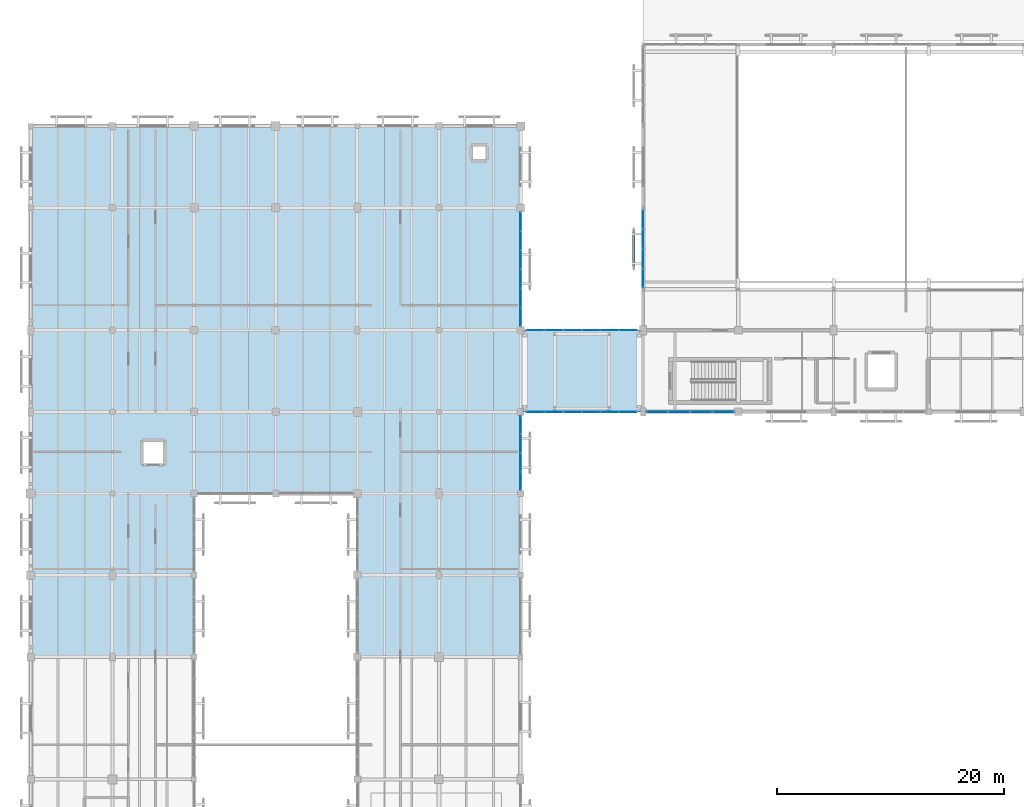
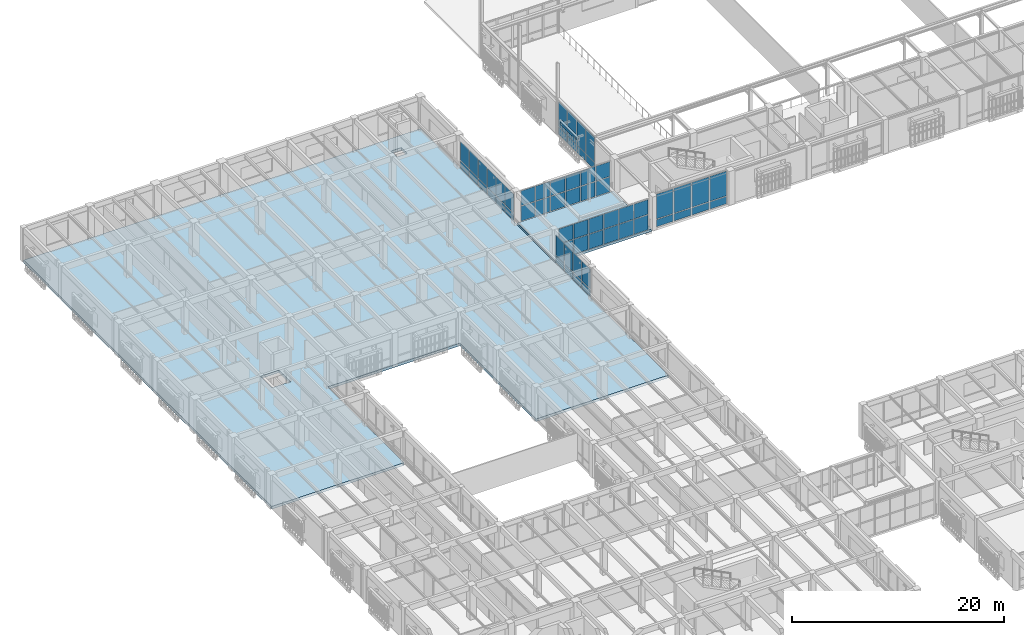
# One storey, part 121 of 170: 61 plates, 2 slabs, 6 elements without a shape of their own.
"""IFC4 building model written with IfcOpenShell, lengths in metres."""

import ifcopenshell
import ifcopenshell.guid

model = None  # the IFC model being written
_history = None  # IfcOwnerHistory: only IFC2X3 demands one
_inside = {}  # id of a spatial element -> (the spatial element, [elements in it])
_under = {}  # id of a project, library or spatial element -> (it, [spatial elements below it])
_declared = {}  # id of a project -> (the project, [libraries it declares])
_typed = {}  # id of a type object -> (the type object, [elements of that type])
_made_of = {}  # id of a material, layer set ... -> (it, [elements and type objects made of it])


def new_model(schema):
    """Start an empty IFC model of exactly this schema.

    Asked for "IFC4X3", IfcOpenShell would pick the latest addendum, in which some entities
    have other attributes; the version numbers below select the first issue.
    IFC2X3 requires an IfcOwnerHistory on every rooted entity: one is made here for all.
    """
    global model, _history
    if schema == "IFC4X3":
        model = ifcopenshell.file(schema_version=(4, 3, 0, 0))
    else:
        model = ifcopenshell.file(schema=schema)
    _inside.clear()
    _under.clear()
    _declared.clear()
    _typed.clear()
    _made_of.clear()
    _history = None
    if model.schema == "IFC2X3":
        org = make("IfcOrganization", Name="unknown")
        user = make(
            "IfcPersonAndOrganization",
            ThePerson=make("IfcPerson", FamilyName="unknown"),
            TheOrganization=org,
        )
        app = make(
            "IfcApplication",
            ApplicationDeveloper=org,
            Version="unknown",
            ApplicationFullName="unknown",
            ApplicationIdentifier="unknown",
        )
        _history = make(
            "IfcOwnerHistory",
            OwningUser=user,
            OwningApplication=app,
            ChangeAction="ADDED",
            CreationDate=0,
        )
    return model


def make(cls, **values):
    """One entity of the class cls with the attributes given. An attribute that is None is left unset."""
    return model.create_entity(
        cls, **{name: value for name, value in values.items() if value is not None}
    )


def rooted(cls, **values):
    """An entity with a GlobalId (a new one), such as an element, a storey or a relation."""
    return make(cls, GlobalId=ifcopenshell.guid.new(), OwnerHistory=_history, **values)


def si_unit(unit_type, name, prefix=None):
    """IfcSIUnit, for example si_unit("LENGTHUNIT", "METRE", prefix="MILLI")."""
    return make("IfcSIUnit", UnitType=unit_type, Prefix=prefix, Name=name)


def assignment(units):
    """IfcUnitAssignment: the units of a project."""
    return None if units is None else make("IfcUnitAssignment", Units=units)


def point(xyz):
    """IfcCartesianPoint."""
    return None if xyz is None else make("IfcCartesianPoint", Coordinates=xyz)


def direction(xyz):
    """IfcDirection."""
    return None if xyz is None else make("IfcDirection", DirectionRatios=xyz)


def frame(location, z_axis=None, x_axis=None):
    """IfcAxis2Placement3D, a coordinate frame: its origin and axes. An axis left out is left unset."""
    return make(
        "IfcAxis2Placement3D",
        Location=point(location),
        Axis=direction(z_axis),
        RefDirection=direction(x_axis),
    )


def frame_2d(location, x_axis=None):
    """IfcAxis2Placement2D, a coordinate frame in the plane: its origin and x axis."""
    return make(
        "IfcAxis2Placement2D", Location=point(location), RefDirection=direction(x_axis)
    )


def origin():
    """The frame at (0, 0, 0) with its axes left unset."""
    return frame((0.0, 0.0, 0.0))


def origin_2d():
    """The frame at (0, 0) in the plane with its x axis left unset."""
    return frame_2d((0.0, 0.0))


def place(relative_to, where):
    """IfcLocalPlacement: puts the frame where relative to a parent placement (None: the world)."""
    return make(
        "IfcLocalPlacement", PlacementRelTo=relative_to, RelativePlacement=where
    )


def context(
    kind, dimensions, precision=None, world=None, true_north=None, identifier=None
):
    """IfcGeometricRepresentationContext, for example the 3D "Model" context."""
    return make(
        "IfcGeometricRepresentationContext",
        ContextIdentifier=identifier,
        ContextType=kind,
        CoordinateSpaceDimension=dimensions,
        Precision=precision,
        WorldCoordinateSystem=world,
        TrueNorth=true_north,
    )


def subcontext(parent, identifier, kind, view, scale=None):
    """IfcGeometricRepresentationSubContext, for example "Body" below "Model"."""
    return make(
        "IfcGeometricRepresentationSubContext",
        ContextIdentifier=identifier,
        ContextType=kind,
        ParentContext=parent,
        TargetScale=scale,
        TargetView=view,
    )


def project(units=None, contexts=None):
    """IfcProject with its units and contexts."""
    return rooted(
        "IfcProject",
        Name="project",
        RepresentationContexts=contexts,
        UnitsInContext=assignment(units),
    )


def spatial(cls, under=None, at=None, **own):
    """A site, building, storey or space (cls), placed at a placement, below another one or the project."""
    s = rooted(cls, ObjectPlacement=at, **own)
    if under is not None:
        _under.setdefault(under.id(), (under, []))[1].append(s)
    return s


def polyline(points):
    """IfcPolyline through the points."""
    return make("IfcPolyline", Points=[point(p) for p in points])


def profile(cls, at=None, kind="AREA", **sizes):
    """A parametric profile (cls). Its sizes go by their IFC names, for example OverallWidth=200.0."""
    return make(cls, ProfileType=kind, Position=at, **sizes)


def rectangle(**sizes):
    """IfcRectangleProfileDef."""
    return profile("IfcRectangleProfileDef", **sizes)


def outline(outer, holes=None, kind="AREA"):
    """IfcArbitraryClosedProfileDef: a profile drawn as a closed curve; with holes, ...WithVoids."""
    if holes is None:
        return make("IfcArbitraryClosedProfileDef", ProfileType=kind, OuterCurve=outer)
    return make(
        "IfcArbitraryProfileDefWithVoids",
        ProfileType=kind,
        OuterCurve=outer,
        InnerCurves=holes,
    )


def extrude(swept, where, along, depth):
    """IfcExtrudedAreaSolid: the profile swept, set in the frame where, extruded along a direction by depth."""
    return make(
        "IfcExtrudedAreaSolid",
        SweptArea=swept,
        Position=where,
        ExtrudedDirection=direction(along),
        Depth=depth,
    )


def shape(context_of_items, identifier, shape_type, items):
    """IfcShapeRepresentation: the items that make up one representation, for example the "Body"."""
    return make(
        "IfcShapeRepresentation",
        ContextOfItems=context_of_items,
        RepresentationIdentifier=identifier,
        RepresentationType=shape_type,
        Items=items,
    )


def material(Name=None, Category=None):
    """IfcMaterial."""
    return make("IfcMaterial", Name=Name, Category=Category)


def layer(
    of_material, thickness, ventilated=None, Name=None, Category=None, Priority=None
):
    """IfcMaterialLayer: one layer of a wall or slab, of a material (None: an air gap)."""
    return make(
        "IfcMaterialLayer",
        Material=of_material,
        LayerThickness=thickness,
        IsVentilated=ventilated,
        Name=Name,
        Category=Category,
        Priority=Priority,
    )


def layer_set(layers, Name=None):
    """IfcMaterialLayerSet."""
    return make("IfcMaterialLayerSet", MaterialLayers=layers, LayerSetName=Name)


def made_of(thing, what):
    """Note that an element or type object is made of a material, layer set ...; save() writes the relation."""
    if what is not None:
        _made_of.setdefault(what.id(), (what, []))[1].append(thing)
    return thing


def type_object(cls, material=None, **own):
    """A type object (cls), such as IfcWallType, which elements share."""
    return made_of(rooted(cls, **own), material)


def element(
    cls,
    number,
    at=None,
    inside=None,
    cuts=None,
    type_object=None,
    material=None,
    context=None,
    identifier="Body",
    shape_type=None,
    held_by="IfcProductDefinitionShape",
    body=None,
    shapes=None,
    **own,
):
    """One element of the class cls, such as IfcWall. Its Tag is "e" and its number.

    at: its placement. inside: the storey or other place that contains it. cuts: it is an
    opening in that element (IfcRelVoidsElement). A single representation is given by context,
    identifier, shape_type and body (its items); several are given by shapes. held_by: the class
    of the entity that holds the representations. save() writes the other relations.
    """
    e = rooted(cls, Tag="e%d" % number, ObjectPlacement=at, **own)
    if body is not None:
        shapes = [shape(context, identifier, shape_type, body)]
    if shapes is not None:
        e.Representation = make(held_by, Representations=shapes)
    if inside is not None:
        _inside.setdefault(inside.id(), (inside, []))[1].append(e)
    if cuts is not None:
        rooted(
            "IfcRelVoidsElement", RelatingBuildingElement=cuts, RelatedOpeningElement=e
        )
    if type_object is not None:
        _typed.setdefault(type_object.id(), (type_object, []))[1].append(e)
    return made_of(e, material)


def aggregate(whole, parts):
    """IfcRelAggregates: a whole, such as a stair, and the parts it consists of."""
    return rooted("IfcRelAggregates", RelatingObject=whole, RelatedObjects=parts)


def save(model, path):
    """Write the relations noted so far, then the file.

    IfcRelAggregates (storeys below a building ...), IfcRelContainedInSpatialStructure (elements
    in a storey), IfcRelDefinesByType, IfcRelAssociatesMaterial and IfcRelDeclares: one each for
    every whole, place, type object, material and project.
    """
    for whole, parts in _under.values():
        aggregate(whole, parts)
    for where, things in _inside.values():
        rooted(
            "IfcRelContainedInSpatialStructure",
            RelatedElements=things,
            RelatingStructure=where,
        )
    for kind, things in _typed.values():
        rooted("IfcRelDefinesByType", RelatedObjects=things, RelatingType=kind)
    for what, things in _made_of.values():
        rooted("IfcRelAssociatesMaterial", RelatedObjects=things, RelatingMaterial=what)
    for by, libraries in _declared.values():
        rooted("IfcRelDeclares", RelatingContext=by, RelatedDefinitions=libraries)
    model.write(path)


model = new_model("IFC4")

# Units and contexts
model_context = context("Model", 3, precision=1e-05, world=origin(), true_north=direction((0.0, 1.0)))
body_context = subcontext(model_context, "Body", "Model", "MODEL_VIEW")
ifc_project = project(units=[si_unit("LENGTHUNIT", "METRE"), si_unit("AREAUNIT", "SQUARE_METRE"), si_unit("VOLUMEUNIT", "CUBIC_METRE"), si_unit("PLANEANGLEUNIT", "RADIAN"), si_unit("MASSUNIT", "GRAM", prefix="KILO")], contexts=[model_context])

# Site, building, storey
site_placement = place(None, origin())
site = spatial("IfcSite", under=ifc_project, at=site_placement, CompositionType="ELEMENT")
building_placement = place(site_placement, origin())
building = spatial("IfcBuilding", under=site, at=building_placement, Name="Mazaris Harbour Polytechnic", CompositionType="ELEMENT")
storey_placement = place(building_placement, frame((0.0, 0.0, 5.39990234375)))
storey = spatial("IfcBuildingStorey", under=building, at=storey_placement, Name="L01", CompositionType="ELEMENT", Elevation=5.39990234375)

# Curtain wall, plates
ifc_material_1 = material(Name="Anodised Bronze Aluminium and Low-E Glass", Category="aluminium")
ifc_layer_1 = layer(ifc_material_1, 0.14990234375, Name="Anodised Bronze Aluminium and Low-E Glass")
ifc_layer_set_1 = layer_set([ifc_layer_1], Name="Anodised Bronze Aluminium and Low-E Glass")
curtain_wall_type_1 = type_object("IfcCurtainWallType", Name="Workshop Clerestory Curtain Wall", PredefinedType="NOTDEFINED", material=ifc_layer_set_1)
curtain_wall_1_placement = place(storey_placement, origin())
curtain_wall_1 = element("IfcCurtainWall", 1, at=curtain_wall_1_placement, inside=storey, type_object=curtain_wall_type_1, Name="V1 L01 Curtain Wall 13", PredefinedType="NOTDEFINED")
ifc_material_2 = material(Name="Acoustic Low-E Double Glazing", Category="glass")
ifc_layer_2 = layer(ifc_material_2, 0.033935546875, Name="Acoustic Low-E Double Glazing")
ifc_layer_set_2 = layer_set([ifc_layer_2], Name="Acoustic Low-E Double Glazing")
plate_type_1 = type_object("IfcPlateType", Name="Acoustic Laminated Glass Panel 34", PredefinedType="CURTAIN_PANEL", material=ifc_layer_set_2)
plate_1_placement = place(storey_placement, frame((61.077880859375, 75.60009765625, 0.080078125), z_axis=(0.0, 0.0, 1.0), x_axis=(-1.0, 0.0, 0.0)))
plate_1 = element("IfcPlate", 2, at=plate_1_placement, type_object=plate_type_1, Name="CW-04 panel 1.1", PredefinedType="CURTAIN_PANEL", context=body_context, shape_type="SweptSolid", body=[
    extrude(rectangle(XDim=1.810302734375, YDim=0.033935546875, at=origin_2d()), origin(), (0.0, 0.0, 1.0), 0.830078125),
])
plate_2_placement = place(storey_placement, frame((61.077880859375, 75.60009765625, 0.989990234375), z_axis=(0.0, 0.0, 1.0), x_axis=(-1.0, 0.0, 0.0)))
plate_2 = element("IfcPlate", 3, at=plate_2_placement, type_object=plate_type_1, Name="CW-04 panel 1.2", PredefinedType="CURTAIN_PANEL", context=body_context, shape_type="SweptSolid", body=[
    extrude(rectangle(XDim=1.810302734375, YDim=0.033935546875, at=origin_2d()), origin(), (0.0, 0.0, 1.0), 2.85009765625),
])
plate_3_placement = place(storey_placement, frame((59.142578125, 75.60009765625, 0.080078125), z_axis=(0.0, 0.0, 1.0), x_axis=(-1.0, 0.0, 0.0)))
plate_3 = element("IfcPlate", 4, at=plate_3_placement, type_object=plate_type_1, Name="CW-04 panel 2.1", PredefinedType="CURTAIN_PANEL", context=body_context, shape_type="SweptSolid", body=[
    extrude(rectangle(XDim=1.8603515625, YDim=0.033935546875, at=origin_2d()), origin(), (0.0, 0.0, 1.0), 0.830078125),
])
plate_4_placement = place(storey_placement, frame((59.142578125, 75.60009765625, 0.989990234375), z_axis=(0.0, 0.0, 1.0), x_axis=(-1.0, 0.0, 0.0)))
plate_4 = element("IfcPlate", 5, at=plate_4_placement, type_object=plate_type_1, Name="CW-04 panel 2.2", PredefinedType="CURTAIN_PANEL", context=body_context, shape_type="SweptSolid", body=[
    extrude(rectangle(XDim=1.8603515625, YDim=0.033935546875, at=origin_2d()), origin(), (0.0, 0.0, 1.0), 2.85009765625),
])
plate_5_placement = place(storey_placement, frame((57.182373046875, 75.60009765625, 0.080078125), z_axis=(0.0, 0.0, 1.0), x_axis=(-1.0, 0.0, 0.0)))
plate_5 = element("IfcPlate", 6, at=plate_5_placement, type_object=plate_type_1, Name="CW-04 panel 3.1", PredefinedType="CURTAIN_PANEL", context=body_context, shape_type="SweptSolid", body=[
    extrude(rectangle(XDim=1.8603515625, YDim=0.033935546875, at=origin_2d()), origin(), (0.0, 0.0, 1.0), 0.830078125),
])
plate_6_placement = place(storey_placement, frame((57.182373046875, 75.60009765625, 0.989990234375), z_axis=(0.0, 0.0, 1.0), x_axis=(-1.0, 0.0, 0.0)))
plate_6 = element("IfcPlate", 7, at=plate_6_placement, type_object=plate_type_1, Name="CW-04 panel 3.2", PredefinedType="CURTAIN_PANEL", context=body_context, shape_type="SweptSolid", body=[
    extrude(rectangle(XDim=1.8603515625, YDim=0.033935546875, at=origin_2d()), origin(), (0.0, 0.0, 1.0), 2.85009765625),
])
plate_7_placement = place(storey_placement, frame((55.2470703125, 75.60009765625, 0.080078125), z_axis=(0.0, 0.0, 1.0), x_axis=(-1.0, 0.0, 0.0)))
plate_7 = element("IfcPlate", 8, at=plate_7_placement, type_object=plate_type_1, Name="CW-04 panel 4.1", PredefinedType="CURTAIN_PANEL", context=body_context, shape_type="SweptSolid", body=[
    extrude(rectangle(XDim=1.810302734375, YDim=0.033935546875, at=origin_2d()), origin(), (0.0, 0.0, 1.0), 0.830078125),
])
plate_8_placement = place(storey_placement, frame((55.2470703125, 75.60009765625, 0.989990234375), z_axis=(0.0, 0.0, 1.0), x_axis=(-1.0, 0.0, 0.0)))
plate_8 = element("IfcPlate", 9, at=plate_8_placement, type_object=plate_type_1, Name="CW-04 panel 4.2", PredefinedType="CURTAIN_PANEL", context=body_context, shape_type="SweptSolid", body=[
    extrude(rectangle(XDim=1.810302734375, YDim=0.033935546875, at=origin_2d()), origin(), (0.0, 0.0, 1.0), 2.85009765625),
])
aggregate(curtain_wall_1, [plate_1, plate_2, plate_3, plate_4, plate_5, plate_6, plate_7, plate_8])

curtain_wall_2_placement = place(storey_placement, origin())
curtain_wall_2 = element("IfcCurtainWall", 10, at=curtain_wall_2_placement, inside=storey, type_object=curtain_wall_type_1, Name="V1 L01 Curtain Wall 21", PredefinedType="NOTDEFINED")
plate_9_placement = place(storey_placement, frame((54.0, 87.395263671875, 0.080078125), z_axis=(0.0, 0.0, 1.0), x_axis=(0.0, 1.0, 0.0)))
plate_9 = element("IfcPlate", 11, at=plate_9_placement, type_object=plate_type_1, Name="CW-04 panel 1.1", PredefinedType="CURTAIN_PANEL", context=body_context, shape_type="SweptSolid", body=[
    extrude(rectangle(XDim=1.596435546875, YDim=0.033935546875, at=origin_2d()), origin(), (0.0, 0.0, 1.0), 0.830078125),
])
plate_10_placement = place(storey_placement, frame((54.0, 87.395263671875, 0.989990234375), z_axis=(0.0, 0.0, 1.0), x_axis=(0.0, 1.0, 0.0)))
plate_10 = element("IfcPlate", 12, at=plate_10_placement, type_object=plate_type_1, Name="CW-04 panel 1.2", PredefinedType="CURTAIN_PANEL", context=body_context, shape_type="SweptSolid", body=[
    extrude(rectangle(XDim=1.596435546875, YDim=0.033935546875, at=origin_2d()), origin(), (0.0, 0.0, 1.0), 2.85009765625),
])
plate_11_placement = place(storey_placement, frame((54.0, 89.11669921875, 0.080078125), z_axis=(0.0, 0.0, 1.0), x_axis=(0.0, 1.0, 0.0)))
plate_11 = element("IfcPlate", 13, at=plate_11_placement, type_object=plate_type_1, Name="CW-04 panel 2.1", PredefinedType="CURTAIN_PANEL", context=body_context, shape_type="SweptSolid", body=[
    extrude(rectangle(XDim=1.646484375, YDim=0.033935546875, at=origin_2d()), origin(), (0.0, 0.0, 1.0), 0.830078125),
])
plate_12_placement = place(storey_placement, frame((54.0, 89.11669921875, 0.989990234375), z_axis=(0.0, 0.0, 1.0), x_axis=(0.0, 1.0, 0.0)))
plate_12 = element("IfcPlate", 14, at=plate_12_placement, type_object=plate_type_1, Name="CW-04 panel 2.2", PredefinedType="CURTAIN_PANEL", context=body_context, shape_type="SweptSolid", body=[
    extrude(rectangle(XDim=1.646484375, YDim=0.033935546875, at=origin_2d()), origin(), (0.0, 0.0, 1.0), 2.85009765625),
])
plate_13_placement = place(storey_placement, frame((54.0, 90.86328125, 0.080078125), z_axis=(0.0, 0.0, 1.0), x_axis=(0.0, 1.0, 0.0)))
plate_13 = element("IfcPlate", 15, at=plate_13_placement, type_object=plate_type_1, Name="CW-04 panel 3.1", PredefinedType="CURTAIN_PANEL", context=body_context, shape_type="SweptSolid", body=[
    extrude(rectangle(XDim=1.646484375, YDim=0.033935546875, at=origin_2d()), origin(), (0.0, 0.0, 1.0), 0.830078125),
])
plate_14_placement = place(storey_placement, frame((54.0, 90.86328125, 0.989990234375), z_axis=(0.0, 0.0, 1.0), x_axis=(0.0, 1.0, 0.0)))
plate_14 = element("IfcPlate", 16, at=plate_14_placement, type_object=plate_type_1, Name="CW-04 panel 3.2", PredefinedType="CURTAIN_PANEL", context=body_context, shape_type="SweptSolid", body=[
    extrude(rectangle(XDim=1.646484375, YDim=0.033935546875, at=origin_2d()), origin(), (0.0, 0.0, 1.0), 2.85009765625),
])
plate_15_placement = place(storey_placement, frame((54.0, 92.584716796875, 0.080078125), z_axis=(0.0, 0.0, 1.0), x_axis=(0.0, 1.0, 0.0)))
plate_15 = element("IfcPlate", 17, at=plate_15_placement, type_object=plate_type_1, Name="CW-04 panel 4.1", PredefinedType="CURTAIN_PANEL", context=body_context, shape_type="SweptSolid", body=[
    extrude(rectangle(XDim=1.596435546875, YDim=0.033935546875, at=origin_2d()), origin(), (0.0, 0.0, 1.0), 0.830078125),
])
plate_16_placement = place(storey_placement, frame((54.0, 92.584716796875, 0.989990234375), z_axis=(0.0, 0.0, 1.0), x_axis=(0.0, 1.0, 0.0)))
plate_16 = element("IfcPlate", 18, at=plate_16_placement, type_object=plate_type_1, Name="CW-04 panel 4.2", PredefinedType="CURTAIN_PANEL", context=body_context, shape_type="SweptSolid", body=[
    extrude(rectangle(XDim=1.596435546875, YDim=0.033935546875, at=origin_2d()), origin(), (0.0, 0.0, 1.0), 2.85009765625),
])
aggregate(curtain_wall_2, [plate_9, plate_10, plate_11, plate_12, plate_13, plate_14, plate_15, plate_16])

# Slab
ifc_material_3 = material(Name="Glulam GL28h and Concrete C30/37", Category="concrete")
ifc_layer_3 = layer(ifc_material_3, 0.264892578125, Name="Glulam GL28h and Concrete C30/37")
ifc_layer_set_3 = layer_set([ifc_layer_3], Name="Glulam GL28h and Concrete C30/37")
slab_type_1 = type_object("IfcSlabType", Name="CLT Composite Floor 265", PredefinedType="FLOOR", material=ifc_layer_set_3)
slab_1_placement = place(storey_placement, frame((0.0, 0.0, -0.264892578125)))
element("IfcSlab", 19, at=slab_1_placement, inside=storey, type_object=slab_type_1, Name="PB-W2 L01 Bridge Deck", PredefinedType="FLOOR", context=body_context, shape_type="SweptSolid", body=[
    extrude(outline(polyline([(53.85009765625, 75.60009765625), (53.85009765625, 82.800048828125), (43.35009765625, 82.800048828125), (43.35009765625, 75.60009765625), (53.85009765625, 75.60009765625)])), origin(), (0.0, 0.0, 1.0), 0.264892578125),
])

# Curtain wall, plates
ifc_material_4 = material(Name="Anodised Bronze Aluminium and Low-E Glass", Category="aluminium")
ifc_layer_4 = layer(ifc_material_4, 0.139892578125, Name="Anodised Bronze Aluminium and Low-E Glass")
ifc_layer_set_4 = layer_set([ifc_layer_4], Name="Anodised Bronze Aluminium and Low-E Glass")
curtain_wall_type_2 = type_object("IfcCurtainWallType", Name="Seismic Link Bridge Glazing", PredefinedType="NOTDEFINED", material=ifc_layer_set_4)
curtain_wall_3_placement = place(storey_placement, origin())
curtain_wall_3 = element("IfcCurtainWall", 20, at=curtain_wall_3_placement, inside=storey, type_object=curtain_wall_type_2, Name="PB-W2 L01 Bridge Glazing", PredefinedType="NOTDEFINED")
ifc_material_5 = material(Name="Anodised Bronze Insulated Panel")
ifc_layer_5 = layer(ifc_material_5, 0.0419921875, Name="Anodised Bronze Insulated Panel")
ifc_layer_set_5 = layer_set([ifc_layer_5], Name="Anodised Bronze Insulated Panel")
plate_type_2 = type_object("IfcPlateType", Name="Insulated Bronze Spandrel Panel 42", PredefinedType="CURTAIN_PANEL", material=ifc_layer_set_5)
plate_17_placement = place(storey_placement, frame((44.52001953125, 75.60009765625, 0.080078125), z_axis=(0.0, 0.0, 1.0), x_axis=(1.0, 0.0, 0.0)))
plate_17 = element("IfcPlate", 21, at=plate_17_placement, type_object=plate_type_2, Name="CW-05 panel 1.1", PredefinedType="CURTAIN_PANEL", context=body_context, shape_type="SweptSolid", body=[
    extrude(rectangle(XDim=1.52001953125, YDim=0.0419921875, at=origin_2d()), origin(), (0.0, 0.0, 1.0), 1.697509765625),
])
plate_18_placement = place(storey_placement, frame((44.52001953125, 75.60009765625, 1.857421875), z_axis=(0.0, 0.0, 1.0), x_axis=(1.0, 0.0, 0.0)))
plate_18 = element("IfcPlate", 22, at=plate_18_placement, type_object=plate_type_2, Name="CW-05 panel 1.2", PredefinedType="CURTAIN_PANEL", context=body_context, shape_type="SweptSolid", body=[
    extrude(rectangle(XDim=1.52001953125, YDim=0.0419921875, at=origin_2d()), origin(), (0.0, 0.0, 1.0), 1.697509765625),
])
plate_19_placement = place(storey_placement, frame((46.139892578125, 75.60009765625, 0.080078125), z_axis=(0.0, 0.0, 1.0), x_axis=(1.0, 0.0, 0.0)))
plate_19 = element("IfcPlate", 23, at=plate_19_placement, type_object=plate_type_2, Name="CW-05 panel 2.1", PredefinedType="CURTAIN_PANEL", context=body_context, shape_type="SweptSolid", body=[
    extrude(rectangle(XDim=1.56005859375, YDim=0.0419921875, at=origin_2d()), origin(), (0.0, 0.0, 1.0), 1.697509765625),
])
plate_20_placement = place(storey_placement, frame((46.139892578125, 75.60009765625, 1.857421875), z_axis=(0.0, 0.0, 1.0), x_axis=(1.0, 0.0, 0.0)))
plate_20 = element("IfcPlate", 24, at=plate_20_placement, type_object=plate_type_2, Name="CW-05 panel 2.2", PredefinedType="CURTAIN_PANEL", context=body_context, shape_type="SweptSolid", body=[
    extrude(rectangle(XDim=1.56005859375, YDim=0.0419921875, at=origin_2d()), origin(), (0.0, 0.0, 1.0), 1.697509765625),
])
plate_21_placement = place(storey_placement, frame((47.780029296875, 75.60009765625, 0.080078125), z_axis=(0.0, 0.0, 1.0), x_axis=(1.0, 0.0, 0.0)))
plate_21 = element("IfcPlate", 25, at=plate_21_placement, type_object=plate_type_2, Name="CW-05 panel 3.1", PredefinedType="CURTAIN_PANEL", context=body_context, shape_type="SweptSolid", body=[
    extrude(rectangle(XDim=1.56005859375, YDim=0.0419921875, at=origin_2d()), origin(), (0.0, 0.0, 1.0), 1.697509765625),
])
plate_22_placement = place(storey_placement, frame((47.780029296875, 75.60009765625, 1.857421875), z_axis=(0.0, 0.0, 1.0), x_axis=(1.0, 0.0, 0.0)))
plate_22 = element("IfcPlate", 26, at=plate_22_placement, type_object=plate_type_2, Name="CW-05 panel 3.2", PredefinedType="CURTAIN_PANEL", context=body_context, shape_type="SweptSolid", body=[
    extrude(rectangle(XDim=1.56005859375, YDim=0.0419921875, at=origin_2d()), origin(), (0.0, 0.0, 1.0), 1.697509765625),
])
plate_23_placement = place(storey_placement, frame((49.419921875, 75.60009765625, 0.080078125), z_axis=(0.0, 0.0, 1.0), x_axis=(1.0, 0.0, 0.0)))
plate_23 = element("IfcPlate", 27, at=plate_23_placement, type_object=plate_type_2, Name="CW-05 panel 4.1", PredefinedType="CURTAIN_PANEL", context=body_context, shape_type="SweptSolid", body=[
    extrude(rectangle(XDim=1.56005859375, YDim=0.0419921875, at=origin_2d()), origin(), (0.0, 0.0, 1.0), 1.697509765625),
])
plate_24_placement = place(storey_placement, frame((49.419921875, 75.60009765625, 1.857421875), z_axis=(0.0, 0.0, 1.0), x_axis=(1.0, 0.0, 0.0)))
plate_24 = element("IfcPlate", 28, at=plate_24_placement, type_object=plate_type_2, Name="CW-05 panel 4.2", PredefinedType="CURTAIN_PANEL", context=body_context, shape_type="SweptSolid", body=[
    extrude(rectangle(XDim=1.56005859375, YDim=0.0419921875, at=origin_2d()), origin(), (0.0, 0.0, 1.0), 1.697509765625),
])
plate_25_placement = place(storey_placement, frame((51.06005859375, 75.60009765625, 0.080078125), z_axis=(0.0, 0.0, 1.0), x_axis=(1.0, 0.0, 0.0)))
plate_25 = element("IfcPlate", 29, at=plate_25_placement, type_object=plate_type_2, Name="CW-05 panel 5.1", PredefinedType="CURTAIN_PANEL", context=body_context, shape_type="SweptSolid", body=[
    extrude(rectangle(XDim=1.56005859375, YDim=0.0419921875, at=origin_2d()), origin(), (0.0, 0.0, 1.0), 1.697509765625),
])
plate_26_placement = place(storey_placement, frame((51.06005859375, 75.60009765625, 1.857421875), z_axis=(0.0, 0.0, 1.0), x_axis=(1.0, 0.0, 0.0)))
plate_26 = element("IfcPlate", 30, at=plate_26_placement, type_object=plate_type_2, Name="CW-05 panel 5.2", PredefinedType="CURTAIN_PANEL", context=body_context, shape_type="SweptSolid", body=[
    extrude(rectangle(XDim=1.56005859375, YDim=0.0419921875, at=origin_2d()), origin(), (0.0, 0.0, 1.0), 1.697509765625),
])
plate_27_placement = place(storey_placement, frame((52.679931640625, 75.60009765625, 0.080078125), z_axis=(0.0, 0.0, 1.0), x_axis=(1.0, 0.0, 0.0)))
plate_27 = element("IfcPlate", 31, at=plate_27_placement, type_object=plate_type_2, Name="CW-05 panel 6.1", PredefinedType="CURTAIN_PANEL", context=body_context, shape_type="SweptSolid", body=[
    extrude(rectangle(XDim=1.52001953125, YDim=0.0419921875, at=origin_2d()), origin(), (0.0, 0.0, 1.0), 1.697509765625),
])
plate_28_placement = place(storey_placement, frame((52.679931640625, 75.60009765625, 1.857421875), z_axis=(0.0, 0.0, 1.0), x_axis=(1.0, 0.0, 0.0)))
plate_28 = element("IfcPlate", 32, at=plate_28_placement, type_object=plate_type_2, Name="CW-05 panel 6.2", PredefinedType="CURTAIN_PANEL", context=body_context, shape_type="SweptSolid", body=[
    extrude(rectangle(XDim=1.52001953125, YDim=0.0419921875, at=origin_2d()), origin(), (0.0, 0.0, 1.0), 1.697509765625),
])
aggregate(curtain_wall_3, [plate_17, plate_18, plate_19, plate_20, plate_21, plate_22, plate_23, plate_24, plate_25, plate_26, plate_27, plate_28])

ifc_material_6 = material(Name="Anodised Bronze Aluminium and Low-E Glass", Category="aluminium")
ifc_layer_6 = layer(ifc_material_6, 0.159912109375, Name="Anodised Bronze Aluminium and Low-E Glass")
ifc_layer_set_6 = layer_set([ifc_layer_6], Name="Anodised Bronze Aluminium and Low-E Glass")
curtain_wall_type_3 = type_object("IfcCurtainWallType", Name="Cloister Court Curtain Wall", PredefinedType="NOTDEFINED", material=ifc_layer_set_6)
curtain_wall_4_placement = place(storey_placement, origin())
curtain_wall_4 = element("IfcCurtainWall", 33, at=curtain_wall_4_placement, inside=storey, type_object=curtain_wall_type_3, Name="V4 L01 Curtain Wall 114", PredefinedType="NOTDEFINED")
ifc_material_7 = material(Name="Low-E Double Glazing", Category="glass")
ifc_layer_7 = layer(ifc_material_7, 0.028076171875, Name="Low-E Double Glazing")
ifc_layer_set_7 = layer_set([ifc_layer_7], Name="Low-E Double Glazing")
plate_type_3 = type_object("IfcPlateType", Name="Low-E Vision Glass Panel 28", PredefinedType="CURTAIN_PANEL", material=ifc_layer_set_7)
plate_29_placement = place(storey_placement, frame((43.199951171875, 74.457763671875, 0.080078125), z_axis=(0.0, 0.0, 1.0), x_axis=(0.0, -1.0, 0.0)))
plate_29 = element("IfcPlate", 34, at=plate_29_placement, type_object=plate_type_3, Name="CW-02 panel 1.1", PredefinedType="CURTAIN_PANEL", context=body_context, shape_type="SweptSolid", body=[
    extrude(rectangle(XDim=1.540283203125, YDim=0.028076171875, at=origin_2d()), origin(), (0.0, 0.0, 1.0), 0.830078125),
])
plate_30_placement = place(storey_placement, frame((43.199951171875, 74.457763671875, 0.989990234375), z_axis=(0.0, 0.0, 1.0), x_axis=(0.0, -1.0, 0.0)))
plate_30 = element("IfcPlate", 35, at=plate_30_placement, type_object=plate_type_3, Name="CW-02 panel 1.2", PredefinedType="CURTAIN_PANEL", context=body_context, shape_type="SweptSolid", body=[
    extrude(rectangle(XDim=1.540283203125, YDim=0.028076171875, at=origin_2d()), origin(), (0.0, 0.0, 1.0), 2.2900390625),
])
plate_31_placement = place(storey_placement, frame((43.199951171875, 72.817626953125, 0.080078125), z_axis=(0.0, 0.0, 1.0), x_axis=(0.0, -1.0, 0.0)))
plate_31 = element("IfcPlate", 36, at=plate_31_placement, type_object=plate_type_3, Name="CW-02 panel 2.1", PredefinedType="CURTAIN_PANEL", context=body_context, shape_type="SweptSolid", body=[
    extrude(rectangle(XDim=1.580322265625, YDim=0.028076171875, at=origin_2d()), origin(), (0.0, 0.0, 1.0), 0.830078125),
])
plate_32_placement = place(storey_placement, frame((43.199951171875, 72.817626953125, 0.989990234375), z_axis=(0.0, 0.0, 1.0), x_axis=(0.0, -1.0, 0.0)))
plate_32 = element("IfcPlate", 37, at=plate_32_placement, type_object=plate_type_3, Name="CW-02 panel 2.2", PredefinedType="CURTAIN_PANEL", context=body_context, shape_type="SweptSolid", body=[
    extrude(rectangle(XDim=1.580322265625, YDim=0.028076171875, at=origin_2d()), origin(), (0.0, 0.0, 1.0), 2.2900390625),
])
plate_33_placement = place(storey_placement, frame((43.199951171875, 71.157470703125, 0.080078125), z_axis=(0.0, 0.0, 1.0), x_axis=(0.0, -1.0, 0.0)))
plate_33 = element("IfcPlate", 38, at=plate_33_placement, type_object=plate_type_3, Name="CW-02 panel 3.1", PredefinedType="CURTAIN_PANEL", context=body_context, shape_type="SweptSolid", body=[
    extrude(rectangle(XDim=1.580322265625, YDim=0.028076171875, at=origin_2d()), origin(), (0.0, 0.0, 1.0), 0.830078125),
])
plate_34_placement = place(storey_placement, frame((43.199951171875, 71.157470703125, 0.989990234375), z_axis=(0.0, 0.0, 1.0), x_axis=(0.0, -1.0, 0.0)))
plate_34 = element("IfcPlate", 39, at=plate_34_placement, type_object=plate_type_3, Name="CW-02 panel 3.2", PredefinedType="CURTAIN_PANEL", context=body_context, shape_type="SweptSolid", body=[
    extrude(rectangle(XDim=1.580322265625, YDim=0.028076171875, at=origin_2d()), origin(), (0.0, 0.0, 1.0), 2.2900390625),
])
plate_35_placement = place(storey_placement, frame((43.199951171875, 69.51708984375, 0.080078125), z_axis=(0.0, 0.0, 1.0), x_axis=(0.0, -1.0, 0.0)))
plate_35 = element("IfcPlate", 40, at=plate_35_placement, type_object=plate_type_3, Name="CW-02 panel 4.1", PredefinedType="CURTAIN_PANEL", context=body_context, shape_type="SweptSolid", body=[
    extrude(rectangle(XDim=1.540283203125, YDim=0.028076171875, at=origin_2d()), origin(), (0.0, 0.0, 1.0), 0.830078125),
])
plate_36_placement = place(storey_placement, frame((43.199951171875, 69.51708984375, 0.989990234375), z_axis=(0.0, 0.0, 1.0), x_axis=(0.0, -1.0, 0.0)))
plate_36 = element("IfcPlate", 41, at=plate_36_placement, type_object=plate_type_3, Name="CW-02 panel 4.2", PredefinedType="CURTAIN_PANEL", context=body_context, shape_type="SweptSolid", body=[
    extrude(rectangle(XDim=1.540283203125, YDim=0.028076171875, at=origin_2d()), origin(), (0.0, 0.0, 1.0), 2.2900390625),
])
aggregate(curtain_wall_4, [plate_29, plate_30, plate_31, plate_32, plate_33, plate_34, plate_35, plate_36])

curtain_wall_5_placement = place(storey_placement, origin())
curtain_wall_5 = element("IfcCurtainWall", 42, at=curtain_wall_5_placement, inside=storey, type_object=curtain_wall_type_3, Name="V4 L01 Curtain Wall 115", PredefinedType="NOTDEFINED")
plate_37_placement = place(storey_placement, frame((43.199951171875, 92.392822265625, 0.080078125), z_axis=(0.0, 0.0, 1.0), x_axis=(0.0, -1.0, 0.0)))
plate_37 = element("IfcPlate", 43, at=plate_37_placement, type_object=plate_type_3, Name="CW-02 panel 1.1", PredefinedType="CURTAIN_PANEL", context=body_context, shape_type="SweptSolid", body=[
    extrude(rectangle(XDim=1.570068359375, YDim=0.028076171875, at=origin_2d()), origin(), (0.0, 0.0, 1.0), 0.830078125),
])
plate_38_placement = place(storey_placement, frame((43.199951171875, 92.392822265625, 0.990234375), z_axis=(0.0, 0.0, 1.0), x_axis=(0.0, -1.0, 0.0)))
plate_38 = element("IfcPlate", 44, at=plate_38_placement, type_object=plate_type_3, Name="CW-02 panel 1.2", PredefinedType="CURTAIN_PANEL", context=body_context, shape_type="SweptSolid", body=[
    extrude(rectangle(XDim=1.570068359375, YDim=0.028076171875, at=origin_2d()), origin(), (0.0, 0.0, 1.0), 2.169921875),
])
plate_39_placement = place(storey_placement, frame((43.199951171875, 90.72265625, 0.080078125), z_axis=(0.0, 0.0, 1.0), x_axis=(0.0, -1.0, 0.0)))
plate_39 = element("IfcPlate", 45, at=plate_39_placement, type_object=plate_type_3, Name="CW-02 panel 2.1", PredefinedType="CURTAIN_PANEL", context=body_context, shape_type="SweptSolid", body=[
    extrude(rectangle(XDim=1.610107421875, YDim=0.028076171875, at=origin_2d()), origin(), (0.0, 0.0, 1.0), 0.830078125),
])
plate_40_placement = place(storey_placement, frame((43.199951171875, 90.72265625, 0.990234375), z_axis=(0.0, 0.0, 1.0), x_axis=(0.0, -1.0, 0.0)))
plate_40 = element("IfcPlate", 46, at=plate_40_placement, type_object=plate_type_3, Name="CW-02 panel 2.2", PredefinedType="CURTAIN_PANEL", context=body_context, shape_type="SweptSolid", body=[
    extrude(rectangle(XDim=1.610107421875, YDim=0.028076171875, at=origin_2d()), origin(), (0.0, 0.0, 1.0), 2.169921875),
])
plate_41_placement = place(storey_placement, frame((43.199951171875, 89.032470703125, 0.080078125), z_axis=(0.0, 0.0, 1.0), x_axis=(0.0, -1.0, 0.0)))
plate_41 = element("IfcPlate", 47, at=plate_41_placement, type_object=plate_type_3, Name="CW-02 panel 3.1", PredefinedType="CURTAIN_PANEL", context=body_context, shape_type="SweptSolid", body=[
    extrude(rectangle(XDim=1.610107421875, YDim=0.028076171875, at=origin_2d()), origin(), (0.0, 0.0, 1.0), 0.830078125),
])
plate_42_placement = place(storey_placement, frame((43.199951171875, 89.032470703125, 0.990234375), z_axis=(0.0, 0.0, 1.0), x_axis=(0.0, -1.0, 0.0)))
plate_42 = element("IfcPlate", 48, at=plate_42_placement, type_object=plate_type_3, Name="CW-02 panel 3.2", PredefinedType="CURTAIN_PANEL", context=body_context, shape_type="SweptSolid", body=[
    extrude(rectangle(XDim=1.610107421875, YDim=0.028076171875, at=origin_2d()), origin(), (0.0, 0.0, 1.0), 2.169921875),
])
plate_43_placement = place(storey_placement, frame((43.199951171875, 87.342529296875, 0.080078125), z_axis=(0.0, 0.0, 1.0), x_axis=(0.0, -1.0, 0.0)))
plate_43 = element("IfcPlate", 49, at=plate_43_placement, type_object=plate_type_3, Name="CW-02 panel 4.1", PredefinedType="CURTAIN_PANEL", context=body_context, shape_type="SweptSolid", body=[
    extrude(rectangle(XDim=1.610107421875, YDim=0.028076171875, at=origin_2d()), origin(), (0.0, 0.0, 1.0), 0.830078125),
])
plate_44_placement = place(storey_placement, frame((43.199951171875, 87.342529296875, 0.990234375), z_axis=(0.0, 0.0, 1.0), x_axis=(0.0, -1.0, 0.0)))
plate_44 = element("IfcPlate", 50, at=plate_44_placement, type_object=plate_type_3, Name="CW-02 panel 4.2", PredefinedType="CURTAIN_PANEL", context=body_context, shape_type="SweptSolid", body=[
    extrude(rectangle(XDim=1.610107421875, YDim=0.028076171875, at=origin_2d()), origin(), (0.0, 0.0, 1.0), 2.169921875),
])
plate_45_placement = place(storey_placement, frame((43.199951171875, 85.65234375, 0.080078125), z_axis=(0.0, 0.0, 1.0), x_axis=(0.0, -1.0, 0.0)))
plate_45 = element("IfcPlate", 51, at=plate_45_placement, type_object=plate_type_3, Name="CW-02 panel 5.1", PredefinedType="CURTAIN_PANEL", context=body_context, shape_type="SweptSolid", body=[
    extrude(rectangle(XDim=1.610107421875, YDim=0.028076171875, at=origin_2d()), origin(), (0.0, 0.0, 1.0), 0.830078125),
])
plate_46_placement = place(storey_placement, frame((43.199951171875, 85.65234375, 0.990234375), z_axis=(0.0, 0.0, 1.0), x_axis=(0.0, -1.0, 0.0)))
plate_46 = element("IfcPlate", 52, at=plate_46_placement, type_object=plate_type_3, Name="CW-02 panel 5.2", PredefinedType="CURTAIN_PANEL", context=body_context, shape_type="SweptSolid", body=[
    extrude(rectangle(XDim=1.610107421875, YDim=0.028076171875, at=origin_2d()), origin(), (0.0, 0.0, 1.0), 2.169921875),
])
plate_47_placement = place(storey_placement, frame((43.199951171875, 83.982177734375, 0.080078125), z_axis=(0.0, 0.0, 1.0), x_axis=(0.0, -1.0, 0.0)))
plate_47 = element("IfcPlate", 53, at=plate_47_placement, type_object=plate_type_3, Name="CW-02 panel 6.1", PredefinedType="CURTAIN_PANEL", context=body_context, shape_type="SweptSolid", body=[
    extrude(rectangle(XDim=1.570068359375, YDim=0.028076171875, at=origin_2d()), origin(), (0.0, 0.0, 1.0), 0.830078125),
])
plate_48_placement = place(storey_placement, frame((43.199951171875, 83.982177734375, 0.990234375), z_axis=(0.0, 0.0, 1.0), x_axis=(0.0, -1.0, 0.0)))
plate_48 = element("IfcPlate", 54, at=plate_48_placement, type_object=plate_type_3, Name="CW-02 panel 6.2", PredefinedType="CURTAIN_PANEL", context=body_context, shape_type="SweptSolid", body=[
    extrude(rectangle(XDim=1.570068359375, YDim=0.028076171875, at=origin_2d()), origin(), (0.0, 0.0, 1.0), 2.169921875),
])
aggregate(curtain_wall_5, [plate_37, plate_38, plate_39, plate_40, plate_41, plate_42, plate_43, plate_44, plate_45, plate_46, plate_47, plate_48])

curtain_wall_6_placement = place(storey_placement, origin())
curtain_wall_6 = element("IfcCurtainWall", 55, at=curtain_wall_6_placement, inside=storey, type_object=curtain_wall_type_2, Name="PB-W2 L01 Bridge Glazing", PredefinedType="NOTDEFINED")
plate_49_placement = place(storey_placement, frame((52.679931640625, 82.800048828125, 0.080078125), z_axis=(0.0, 0.0, 1.0), x_axis=(-1.0, 0.0, 0.0)))
plate_49 = element("IfcPlate", 56, at=plate_49_placement, type_object=plate_type_3, Name="CW-05 panel 1.1", PredefinedType="CURTAIN_PANEL", context=body_context, shape_type="SweptSolid", body=[
    extrude(rectangle(XDim=1.52001953125, YDim=0.028076171875, at=origin_2d()), origin(), (0.0, 0.0, 1.0), 1.697509765625),
])
plate_50_placement = place(storey_placement, frame((52.679931640625, 82.800048828125, 1.857421875), z_axis=(0.0, 0.0, 1.0), x_axis=(-1.0, 0.0, 0.0)))
plate_50 = element("IfcPlate", 57, at=plate_50_placement, type_object=plate_type_3, Name="CW-05 panel 1.2", PredefinedType="CURTAIN_PANEL", context=body_context, shape_type="SweptSolid", body=[
    extrude(rectangle(XDim=1.52001953125, YDim=0.028076171875, at=origin_2d()), origin(), (0.0, 0.0, 1.0), 1.697509765625),
])
plate_51_placement = place(storey_placement, frame((51.06005859375, 82.800048828125, 0.080078125), z_axis=(0.0, 0.0, 1.0), x_axis=(-1.0, 0.0, 0.0)))
plate_51 = element("IfcPlate", 58, at=plate_51_placement, type_object=plate_type_3, Name="CW-05 panel 2.1", PredefinedType="CURTAIN_PANEL", context=body_context, shape_type="SweptSolid", body=[
    extrude(rectangle(XDim=1.56005859375, YDim=0.028076171875, at=origin_2d()), origin(), (0.0, 0.0, 1.0), 1.697509765625),
])
plate_52_placement = place(storey_placement, frame((51.06005859375, 82.800048828125, 1.857421875), z_axis=(0.0, 0.0, 1.0), x_axis=(-1.0, 0.0, 0.0)))
plate_52 = element("IfcPlate", 59, at=plate_52_placement, type_object=plate_type_3, Name="CW-05 panel 2.2", PredefinedType="CURTAIN_PANEL", context=body_context, shape_type="SweptSolid", body=[
    extrude(rectangle(XDim=1.56005859375, YDim=0.028076171875, at=origin_2d()), origin(), (0.0, 0.0, 1.0), 1.697509765625),
])
plate_53_placement = place(storey_placement, frame((49.419921875, 82.800048828125, 0.080078125), z_axis=(0.0, 0.0, 1.0), x_axis=(-1.0, 0.0, 0.0)))
plate_53 = element("IfcPlate", 60, at=plate_53_placement, type_object=plate_type_3, Name="CW-05 panel 3.1", PredefinedType="CURTAIN_PANEL", context=body_context, shape_type="SweptSolid", body=[
    extrude(rectangle(XDim=1.56005859375, YDim=0.028076171875, at=origin_2d()), origin(), (0.0, 0.0, 1.0), 1.697509765625),
])
plate_54_placement = place(storey_placement, frame((49.419921875, 82.800048828125, 1.857421875), z_axis=(0.0, 0.0, 1.0), x_axis=(-1.0, 0.0, 0.0)))
plate_54 = element("IfcPlate", 61, at=plate_54_placement, type_object=plate_type_3, Name="CW-05 panel 3.2", PredefinedType="CURTAIN_PANEL", context=body_context, shape_type="SweptSolid", body=[
    extrude(rectangle(XDim=1.56005859375, YDim=0.028076171875, at=origin_2d()), origin(), (0.0, 0.0, 1.0), 1.697509765625),
])
plate_55_placement = place(storey_placement, frame((47.780029296875, 82.800048828125, 0.080078125), z_axis=(0.0, 0.0, 1.0), x_axis=(-1.0, 0.0, 0.0)))
plate_55 = element("IfcPlate", 62, at=plate_55_placement, type_object=plate_type_3, Name="CW-05 panel 4.1", PredefinedType="CURTAIN_PANEL", context=body_context, shape_type="SweptSolid", body=[
    extrude(rectangle(XDim=1.56005859375, YDim=0.028076171875, at=origin_2d()), origin(), (0.0, 0.0, 1.0), 1.697509765625),
])
plate_56_placement = place(storey_placement, frame((47.780029296875, 82.800048828125, 1.857421875), z_axis=(0.0, 0.0, 1.0), x_axis=(-1.0, 0.0, 0.0)))
plate_56 = element("IfcPlate", 63, at=plate_56_placement, type_object=plate_type_3, Name="CW-05 panel 4.2", PredefinedType="CURTAIN_PANEL", context=body_context, shape_type="SweptSolid", body=[
    extrude(rectangle(XDim=1.56005859375, YDim=0.028076171875, at=origin_2d()), origin(), (0.0, 0.0, 1.0), 1.697509765625),
])
plate_57_placement = place(storey_placement, frame((46.139892578125, 82.800048828125, 0.080078125), z_axis=(0.0, 0.0, 1.0), x_axis=(-1.0, 0.0, 0.0)))
plate_57 = element("IfcPlate", 64, at=plate_57_placement, type_object=plate_type_3, Name="CW-05 panel 5.1", PredefinedType="CURTAIN_PANEL", context=body_context, shape_type="SweptSolid", body=[
    extrude(rectangle(XDim=1.56005859375, YDim=0.028076171875, at=origin_2d()), origin(), (0.0, 0.0, 1.0), 1.697509765625),
])
plate_58_placement = place(storey_placement, frame((46.139892578125, 82.800048828125, 1.857421875), z_axis=(0.0, 0.0, 1.0), x_axis=(-1.0, 0.0, 0.0)))
plate_58 = element("IfcPlate", 65, at=plate_58_placement, type_object=plate_type_3, Name="CW-05 panel 5.2", PredefinedType="CURTAIN_PANEL", context=body_context, shape_type="SweptSolid", body=[
    extrude(rectangle(XDim=1.56005859375, YDim=0.028076171875, at=origin_2d()), origin(), (0.0, 0.0, 1.0), 1.697509765625),
])
plate_59_placement = place(storey_placement, frame((44.52001953125, 82.800048828125, 0.080078125), z_axis=(0.0, 0.0, 1.0), x_axis=(-1.0, 0.0, 0.0)))
plate_59 = element("IfcPlate", 66, at=plate_59_placement, type_object=plate_type_3, Name="CW-05 panel 6.1", PredefinedType="CURTAIN_PANEL", context=body_context, shape_type="SweptSolid", body=[
    extrude(rectangle(XDim=1.52001953125, YDim=0.028076171875, at=origin_2d()), origin(), (0.0, 0.0, 1.0), 1.697509765625),
])
plate_60_placement = place(storey_placement, frame((44.52001953125, 82.800048828125, 1.857421875), z_axis=(0.0, 0.0, 1.0), x_axis=(-1.0, 0.0, 0.0)))
plate_60 = element("IfcPlate", 67, at=plate_60_placement, type_object=plate_type_3, Name="CW-05 panel 6.2", PredefinedType="CURTAIN_PANEL", context=body_context, shape_type="SweptSolid", body=[
    extrude(rectangle(XDim=1.52001953125, YDim=0.028076171875, at=origin_2d()), origin(), (0.0, 0.0, 1.0), 1.697509765625),
])
aggregate(curtain_wall_6, [plate_49, plate_50, plate_51, plate_52, plate_53, plate_54, plate_55, plate_56, plate_57, plate_58, plate_59, plate_60])

# Plate
ifc_material_8 = material(Name="Perforated Earth-Coloured Terracotta Block", Category="masonry")
ifc_layer_8 = layer(ifc_material_8, 0.25, Name="Perforated Earth-Coloured Terracotta Block")
ifc_layer_set_8 = layer_set([ifc_layer_8], Name="Perforated Earth-Coloured Terracotta Block")
plate_type_4 = type_object("IfcPlateType", Name="Perforated Terracotta Screen 3060x250x320", PredefinedType="USERDEFINED", material=ifc_layer_set_8)
plate_61_placement = place(storey_placement, frame((53.179931640625, 89.989990234375, 2.7099609375), z_axis=(0.0, 0.0, 1.0), x_axis=(0.0, 1.0, 0.0)))
element("IfcPlate", 68, at=plate_61_placement, inside=storey, type_object=plate_type_4, Name="V1 L01 Terracotta Screen Crest Plaque 18", ObjectType="SOLAR SCREEN", PredefinedType="USERDEFINED", context=body_context, shape_type="SweptSolid", body=[
    extrude(rectangle(XDim=3.06005859375, YDim=0.25, at=origin_2d()), origin(), (0.0, 0.0, 1.0), 0.320068359375),
])

# Slab
ifc_material_9 = material(Name="Concrete C35/45", Category="concrete")
ifc_layer_9 = layer(ifc_material_9, 0.300048828125, Name="Concrete C35/45")
ifc_layer_set_9 = layer_set([ifc_layer_9], Name="Concrete C35/45")
slab_type_2 = type_object("IfcSlabType", Name="RC Podium Slab 300", PredefinedType="FLOOR", material=ifc_layer_set_9)
slab_2_placement = place(storey_placement, frame((0.0, 0.0, -0.2998046875)))
element("IfcSlab", 69, at=slab_2_placement, inside=storey, type_object=slab_type_2, Name="V4 L01 Floor Slab", PredefinedType="FLOOR", context=body_context, shape_type="SweptSolid", body=[
    extrude(outline(polyline([(43.199951171875, 54.0), (28.800048828125, 54.0), (28.800048828125, 68.39990234375), (14.39990234375, 68.39990234375), (14.39990234375, 54.0), (0.0, 54.0), (0.0, 100.800048828125), (43.199951171875, 100.800048828125), (43.199951171875, 54.0)]), holes=[polyline([(11.800048828125, 70.89990234375), (11.800048828125, 73.10009765625), (9.800048828125, 73.10009765625), (9.800048828125, 70.89990234375), (11.800048828125, 70.89990234375)]), polyline([(38.97998046875, 99.0), (38.97998046875, 97.8798828125), (40.10009765625, 97.8798828125), (40.10009765625, 99.0), (38.97998046875, 99.0)])]), origin(), (0.0, 0.0, 1.0), 0.2998046875),
])

save(model, "model.ifc")
